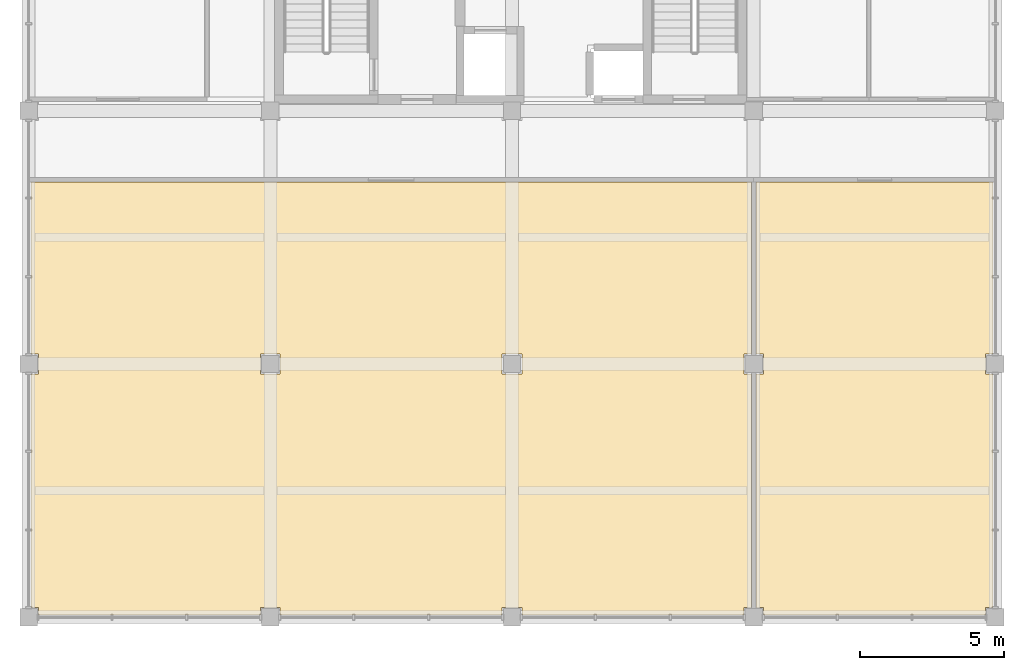
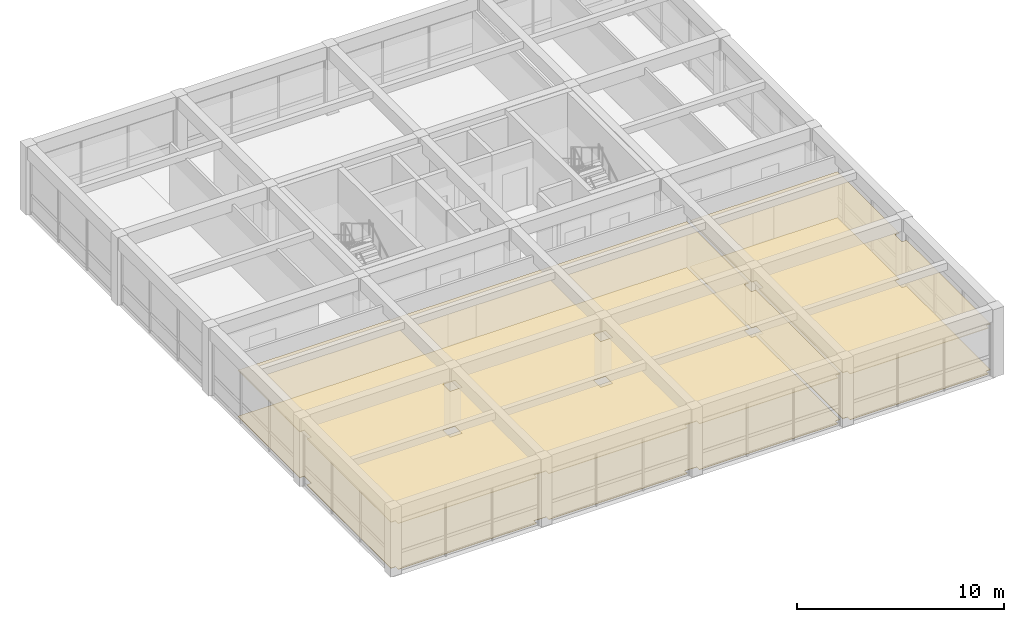
# One storey, part 11 of 14: 4 coverings.
"""IFC4 building model written with IfcOpenShell, lengths in metres."""

from ifc_helpers import new_model, si_unit, direction, frame, origin, place, context, subcontext, project, spatial, polyline, outline, extrude, material, layer, layer_set, type_object, element, save


model = new_model("IFC4")

# Units and contexts
model_context = context("Model", 3, precision=1e-05, world=origin(), true_north=direction((0.0, 1.0)))
body_context = subcontext(model_context, "Body", "Model", "MODEL_VIEW")
ifc_project = project(units=[si_unit("LENGTHUNIT", "METRE"), si_unit("AREAUNIT", "SQUARE_METRE"), si_unit("VOLUMEUNIT", "CUBIC_METRE"), si_unit("PLANEANGLEUNIT", "RADIAN"), si_unit("MASSUNIT", "GRAM", prefix="KILO")], contexts=[model_context])

# Site, building, storey
site_placement = place(None, origin())
site = spatial("IfcSite", under=ifc_project, at=site_placement, CompositionType="ELEMENT")
building_placement = place(site_placement, origin())
building = spatial("IfcBuilding", under=site, at=building_placement, Name="Kemercrest Conservatory and Botanical Centre", CompositionType="ELEMENT")
storey_placement = place(building_placement, frame((0.0, 0.0, 59.800048828125)))
storey = spatial("IfcBuildingStorey", under=building, at=storey_placement, Name="L15", CompositionType="ELEMENT", Elevation=59.800048828125)

# Coverings
ifc_material_1 = material(Name="Perforated acoustic gypsum and mineral-fibre suspended ceiling", Category="gypsum")
ifc_layer_1 = layer(ifc_material_1, 0.034912109375)
ifc_layer_set_1 = layer_set([ifc_layer_1], Name="Perforated acoustic gypsum and mineral-fibre suspended ceiling")
covering_type_1 = type_object("IfcCoveringType", Name="CV-CLG035", PredefinedType="CEILING", material=ifc_layer_set_1)
covering_1_placement = place(storey_placement, frame((0.0, 0.0, 2.699951171875)))
element("IfcCovering", 1, at=covering_1_placement, inside=storey, type_object=covering_type_1, Name="Botanical Exhibition Gallery suspended acoustic ceiling", PredefinedType="CEILING", context=body_context, shape_type="SweptSolid", body=[
    extrude(outline(polyline([(158.860107421875, 87.5400390625), (159.5400390625, 87.5400390625), (159.5400390625, 87.280029296875), (167.260009765625, 87.280029296875), (167.260009765625, 87.5400390625), (167.52001953125, 87.5400390625), (167.52001953125, 95.659912109375), (167.260009765625, 95.659912109375), (167.260009765625, 96.340087890625), (167.52001953125, 96.340087890625), (167.52001953125, 102.320068359375), (142.47998046875, 102.320068359375), (142.47998046875, 96.340087890625), (142.739990234375, 96.340087890625), (142.739990234375, 95.659912109375), (142.47998046875, 95.659912109375), (142.47998046875, 87.5400390625), (142.739990234375, 87.5400390625), (142.739990234375, 87.280029296875), (150.4599609375, 87.280029296875), (150.4599609375, 87.5400390625), (151.139892578125, 87.5400390625), (151.139892578125, 87.280029296875), (158.860107421875, 87.280029296875), (158.860107421875, 87.5400390625)]), holes=[polyline([(158.860107421875, 96.340087890625), (159.5400390625, 96.340087890625), (159.5400390625, 95.659912109375), (158.860107421875, 95.659912109375), (158.860107421875, 96.340087890625)]), polyline([(150.4599609375, 95.659912109375), (150.4599609375, 96.340087890625), (151.139892578125, 96.340087890625), (151.139892578125, 95.659912109375), (150.4599609375, 95.659912109375)])]), origin(), (0.0, 0.0, 1.0), 0.034912109375),
])
covering_2_placement = place(storey_placement, frame((0.0, 0.0, 2.699951171875)))
element("IfcCovering", 2, at=covering_2_placement, inside=storey, type_object=covering_type_1, Name="Public Lecture Studio suspended acoustic ceiling", PredefinedType="CEILING", context=body_context, shape_type="SweptSolid", body=[
    extrude(outline(polyline([(167.93994140625, 87.280029296875), (175.659912109375, 87.280029296875), (175.659912109375, 87.5400390625), (175.919921875, 87.5400390625), (175.919921875, 95.659912109375), (175.659912109375, 95.659912109375), (175.659912109375, 96.340087890625), (175.919921875, 96.340087890625), (175.919921875, 102.320068359375), (167.679931640625, 102.320068359375), (167.679931640625, 96.340087890625), (167.93994140625, 96.340087890625), (167.93994140625, 95.659912109375), (167.679931640625, 95.659912109375), (167.679931640625, 87.5400390625), (167.93994140625, 87.5400390625), (167.93994140625, 87.280029296875)])), origin(), (0.0, 0.0, 1.0), 0.034912109375),
])
ifc_material_2 = material(Name="Polished limestone terrazzo and seamless laboratory epoxy flooring", Category="masonry")
ifc_layer_2 = layer(ifc_material_2, 0.02001953125)
ifc_layer_set_2 = layer_set([ifc_layer_2], Name="Polished limestone terrazzo and seamless laboratory epoxy flooring")
covering_type_2 = type_object("IfcCoveringType", Name="CV-FLR020", PredefinedType="FLOORING", material=ifc_layer_set_2)
covering_3_placement = place(storey_placement, origin())
element("IfcCovering", 3, at=covering_3_placement, inside=storey, type_object=covering_type_2, Name="Botanical Exhibition Gallery floor finish", PredefinedType="FLOORING", context=body_context, shape_type="SweptSolid", body=[
    extrude(outline(polyline([(158.860107421875, 87.5400390625), (159.5400390625, 87.5400390625), (159.5400390625, 87.280029296875), (167.260009765625, 87.280029296875), (167.260009765625, 87.5400390625), (167.52001953125, 87.5400390625), (167.52001953125, 95.659912109375), (167.260009765625, 95.659912109375), (167.260009765625, 96.340087890625), (167.52001953125, 96.340087890625), (167.52001953125, 102.320068359375), (142.47998046875, 102.320068359375), (142.47998046875, 96.340087890625), (142.739990234375, 96.340087890625), (142.739990234375, 95.659912109375), (142.47998046875, 95.659912109375), (142.47998046875, 87.5400390625), (142.739990234375, 87.5400390625), (142.739990234375, 87.280029296875), (150.4599609375, 87.280029296875), (150.4599609375, 87.5400390625), (151.139892578125, 87.5400390625), (151.139892578125, 87.280029296875), (158.860107421875, 87.280029296875), (158.860107421875, 87.5400390625)]), holes=[polyline([(158.860107421875, 96.340087890625), (159.5400390625, 96.340087890625), (159.5400390625, 95.659912109375), (158.860107421875, 95.659912109375), (158.860107421875, 96.340087890625)]), polyline([(150.4599609375, 95.659912109375), (150.4599609375, 96.340087890625), (151.139892578125, 96.340087890625), (151.139892578125, 95.659912109375), (150.4599609375, 95.659912109375)])]), origin(), (0.0, 0.0, 1.0), 0.02001953125),
])
covering_4_placement = place(storey_placement, origin())
element("IfcCovering", 4, at=covering_4_placement, inside=storey, type_object=covering_type_2, Name="Public Lecture Studio floor finish", PredefinedType="FLOORING", context=body_context, shape_type="SweptSolid", body=[
    extrude(outline(polyline([(167.93994140625, 87.280029296875), (175.659912109375, 87.280029296875), (175.659912109375, 87.5400390625), (175.919921875, 87.5400390625), (175.919921875, 95.659912109375), (175.659912109375, 95.659912109375), (175.659912109375, 96.340087890625), (175.919921875, 96.340087890625), (175.919921875, 102.320068359375), (167.679931640625, 102.320068359375), (167.679931640625, 96.340087890625), (167.93994140625, 96.340087890625), (167.93994140625, 95.659912109375), (167.679931640625, 95.659912109375), (167.679931640625, 87.5400390625), (167.93994140625, 87.5400390625), (167.93994140625, 87.280029296875)])), origin(), (0.0, 0.0, 1.0), 0.02001953125),
])

save(model, "model.ifc")
